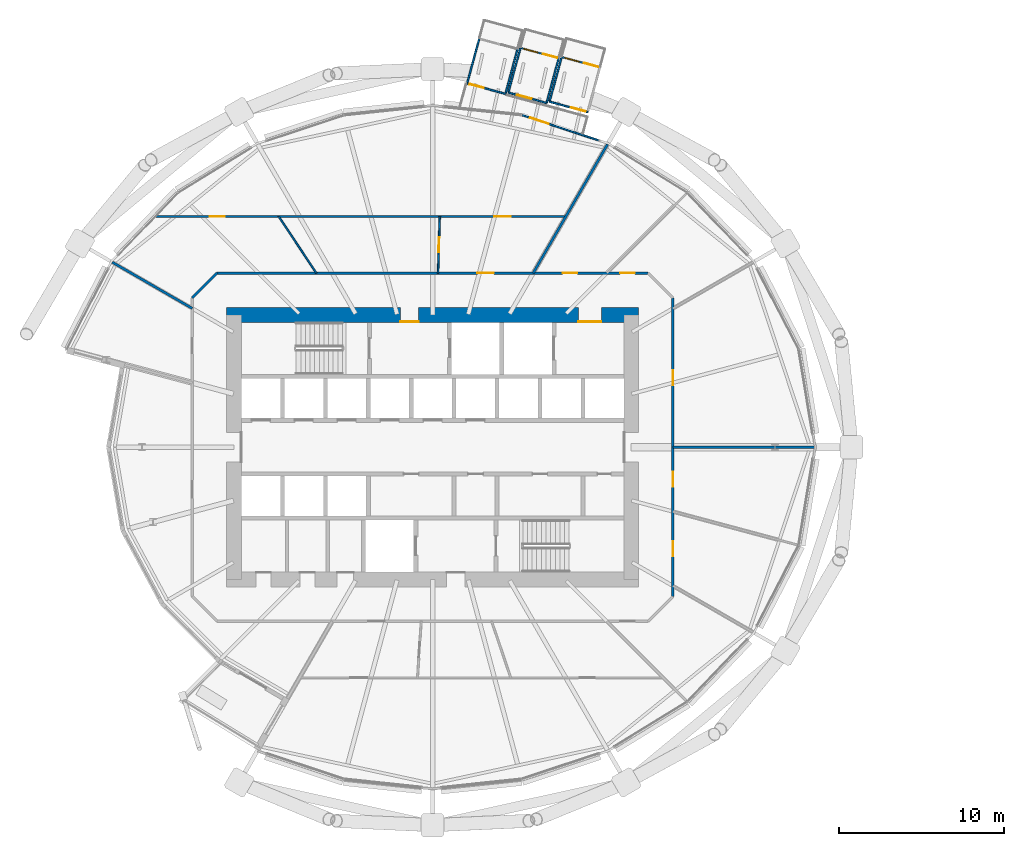
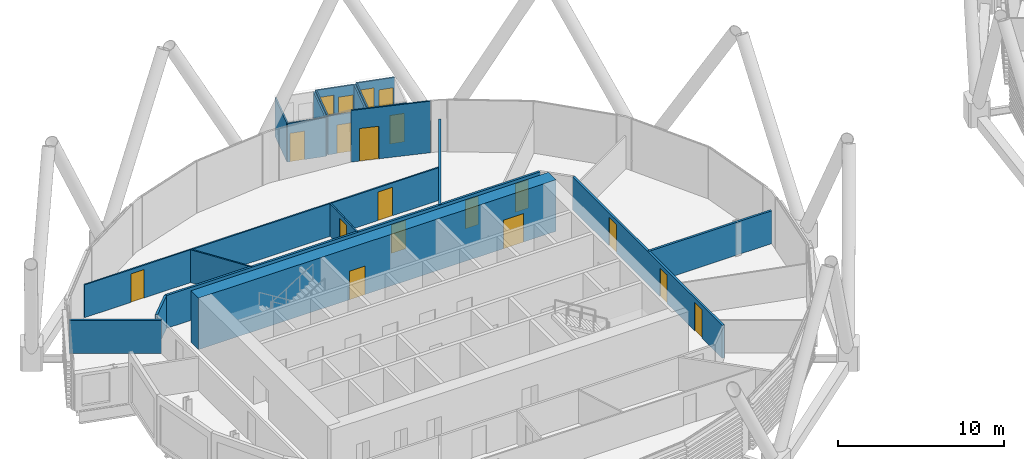
# One storey, part 26 of 40: 21 walls, 17 doors, 2 windows, 19 openings.
"""IFC4 building model written with IfcOpenShell, lengths in metres."""

from ifc_helpers import new_model, si_unit, direction, frame, frame_2d, origin, place, context, subcontext, project, spatial, rectangle, extrude, material, layer, layer_set, type_object, element, fill, save


model = new_model("IFC4")

# Units and contexts
model_context = context("Model", 3, precision=1e-05, world=origin(), true_north=direction((0.0, 1.0)))
body_context = subcontext(model_context, "Body", "Model", "MODEL_VIEW")
ifc_project = project(units=[si_unit("LENGTHUNIT", "METRE"), si_unit("AREAUNIT", "SQUARE_METRE"), si_unit("VOLUMEUNIT", "CUBIC_METRE"), si_unit("PLANEANGLEUNIT", "RADIAN"), si_unit("MASSUNIT", "GRAM", prefix="KILO")], contexts=[model_context])

# Site, building, storey
site_placement = place(None, origin())
site = spatial("IfcSite", under=ifc_project, at=site_placement, CompositionType="ELEMENT")
building_placement = place(site_placement, origin())
building = spatial("IfcBuilding", under=site, at=building_placement, Name="Rimbun Link Towers", CompositionType="ELEMENT")
storey_placement = place(building_placement, frame((0.0, 0.0, 52.800048828125)))
storey = spatial("IfcBuildingStorey", under=building, at=storey_placement, Name="L12", CompositionType="ELEMENT", Elevation=52.800048828125)

# Wall, opening, door
ifc_material_1 = material(Name="Terracotta-faced insulated sandwich panel", Category="masonry")
ifc_layer_1 = layer(ifc_material_1, 0.10009765625)
ifc_layer_set_1 = layer_set([ifc_layer_1], Name="CAPSULE entrance panel 100")
wall_type_1 = type_object("IfcWallType", Name="CAPSULE entrance panel 100", PredefinedType="STANDARD", material=ifc_layer_set_1)
wall_1_placement = place(storey_placement, frame((-29.667724609375, 21.985107421875, 0.0), z_axis=(0.0, 0.0, 1.0), x_axis=(0.965115063511, -0.261826114405, 0.0)))
wall_1 = element("IfcWall", 1, at=wall_1_placement, inside=storey, type_object=wall_type_1, Name="CAPSULE D121.01 shell panel 4", PredefinedType="STANDARD", context=body_context, shape_type="SweptSolid", body=[
    extrude(rectangle(XDim=2.400146484375, YDim=0.10009765625, at=frame_2d((1.2001953125, 0.0))), origin(), (0.0, 0.0, 1.0), 2.849853515625),
])
opening_1_placement = place(wall_1_placement, frame((0.14990234375, 0.0, 0.0)))
opening_1 = element("IfcOpeningElement", 2, at=opening_1_placement, cuts=wall_1, Name="Opening CE12.01", PredefinedType="OPENING", context=body_context, shape_type="SweptSolid", body=[
    extrude(rectangle(XDim=0.89990234375, YDim=2.10009765625, at=frame_2d((0.449951171875, 1.050048828125))), frame((0.0, 0.06005859375, 0.0), z_axis=(0.0, -1.0, 0.0), x_axis=(1.0, 0.0, 0.0)), (0.0, 0.0, 1.0), 0.1201171875),
])
ifc_material_2 = material(Name="Aluminium framed insulated door leaf", Category="aluminium")
door_type_1 = type_object("IfcDoorType", Name="CAPSULE door single leaf 900X2100", OperationType="SINGLE_SWING_LEFT", PredefinedType="DOOR", material=ifc_material_2)
door_1_placement = place(opening_1_placement, origin())
door_1 = element("IfcDoor", 3, at=door_1_placement, inside=storey, type_object=door_type_1, Name="CAPSULE D121.01 inner door", OperationType="SINGLE_SWING_LEFT", OverallHeight=2.10009765625, OverallWidth=0.89990234375, PredefinedType="DOOR", context=body_context, shape_type="SweptSolid", body=[
    extrude(rectangle(XDim=0.89990234375, YDim=2.10009765625, at=frame_2d((0.449951171875, 1.050048828125))), frame((0.0, 0.02490234375, 0.0), z_axis=(0.0, -1.0, 0.0), x_axis=(1.0, 0.0, 0.0)), (0.0, 0.0, 1.0), 0.050048828125),
])
fill(opening_1, door_1)

# Wall, openings, door, window
wall_2_placement = place(storey_placement, frame((-24.12841796875, 23.50732421875, 0.0), z_axis=(0.0, 0.0, 1.0), x_axis=(-0.965115063511, 0.261826114405, 0.0)))
wall_2 = element("IfcWall", 4, at=wall_2_placement, inside=storey, type_object=wall_type_1, Name="CAPSULE D121.02 shell panel 2", PredefinedType="STANDARD", context=body_context, shape_type="SweptSolid", body=[
    extrude(rectangle(XDim=2.400146484375, YDim=0.10009765625, at=frame_2d((1.2001953125, 0.0))), origin(), (0.0, 0.0, 1.0), 2.849853515625),
])
opening_2_placement = place(wall_2_placement, frame((0.10009765625, 0.0, 0.0)))
opening_2 = element("IfcOpeningElement", 5, at=opening_2_placement, cuts=wall_2, Name="Opening CD12.02", PredefinedType="OPENING", context=body_context, shape_type="SweptSolid", body=[
    extrude(rectangle(XDim=0.89990234375, YDim=2.10009765625, at=frame_2d((0.449951171875, 1.050048828125))), frame((0.0, 0.06005859375, 0.0), z_axis=(0.0, -1.0, 0.0), x_axis=(1.0, 0.0, 0.0)), (0.0, 0.0, 1.0), 0.1201171875),
])
opening_3_placement = place(wall_2_placement, frame((1.300048828125, 0.0, 0.89990234375)))
opening_3 = element("IfcOpeningElement", 6, at=opening_3_placement, cuts=wall_2, Name="Opening CN12.02", PredefinedType="OPENING", context=body_context, shape_type="SweptSolid", body=[
    extrude(rectangle(XDim=0.89990234375, YDim=1.39990234375, at=frame_2d((0.449951171875, 0.699951171875))), frame((0.0, 0.06005859375, 0.0), z_axis=(0.0, -1.0, 0.0), x_axis=(1.0, 0.0, 0.0)), (0.0, 0.0, 1.0), 0.1201171875),
])
door_2_placement = place(opening_2_placement, origin())
door_2 = element("IfcDoor", 7, at=door_2_placement, inside=storey, type_object=door_type_1, Name="CAPSULE D121.02 door", OperationType="SINGLE_SWING_RIGHT", OverallHeight=2.10009765625, OverallWidth=0.89990234375, PredefinedType="DOOR", context=body_context, shape_type="SweptSolid", body=[
    extrude(rectangle(XDim=0.89990234375, YDim=2.10009765625, at=frame_2d((0.449951171875, 1.050048828125))), frame((0.0, 0.02490234375, 0.0), z_axis=(0.0, -1.0, 0.0), x_axis=(1.0, 0.0, 0.0)), (0.0, 0.0, 1.0), 0.050048828125),
])
fill(opening_2, door_2)
ifc_material_3 = material(Name="Aluminium framed window, low-iron glass", Category="aluminium")
window_type = type_object("IfcWindowType", Name="CAPSULE window 900X1400", PartitioningType="SINGLE_PANEL", PredefinedType="WINDOW", material=ifc_material_3)
window_1_placement = place(opening_3_placement, origin())
window_1 = element("IfcWindow", 8, at=window_1_placement, inside=storey, type_object=window_type, Name="CAPSULE D121.02 window", OverallHeight=1.39990234375, OverallWidth=0.89990234375, PartitioningType="SINGLE_PANEL", PredefinedType="WINDOW", context=body_context, shape_type="SweptSolid", body=[
    extrude(rectangle(XDim=0.89990234375, YDim=1.39990234375, at=frame_2d((0.449951171875, 0.699951171875))), frame((0.0, 0.030029296875, 0.0), z_axis=(0.0, -1.0, 0.0), x_axis=(1.0, 0.0, 0.0)), (0.0, 0.0, 1.0), 0.06005859375),
])
fill(opening_3, window_1)

# Wall, opening, door
wall_3_placement = place(storey_placement, frame((-27.177978515625, 21.43359375, 0.0), z_axis=(0.0, 0.0, 1.0), x_axis=(0.965108089312, -0.261851820585, 0.0)))
wall_3 = element("IfcWall", 9, at=wall_3_placement, inside=storey, type_object=wall_type_1, Name="CAPSULE D121.02 shell panel 4", PredefinedType="STANDARD", context=body_context, shape_type="SweptSolid", body=[
    extrude(rectangle(XDim=2.39990234375, YDim=0.10009765625, at=frame_2d((1.199951171875, 0.0))), origin(), (0.0, 0.0, 1.0), 2.849853515625),
])
opening_4_placement = place(wall_3_placement, frame((0.550048828125, 0.0, 0.0)))
opening_4 = element("IfcOpeningElement", 10, at=opening_4_placement, cuts=wall_3, Name="Opening CE12.02", PredefinedType="OPENING", context=body_context, shape_type="SweptSolid", body=[
    extrude(rectangle(XDim=0.89990234375, YDim=2.10009765625, at=frame_2d((0.449951171875, 1.050048828125))), frame((0.0, 0.06005859375, 0.0), z_axis=(0.0, -1.0, 0.0), x_axis=(1.0, 0.0, 0.0)), (0.0, 0.0, 1.0), 0.1201171875),
])
door_3_placement = place(opening_4_placement, origin())
door_3 = element("IfcDoor", 11, at=door_3_placement, inside=storey, type_object=door_type_1, Name="CAPSULE D121.02 inner door", OperationType="SINGLE_SWING_LEFT", OverallHeight=2.10009765625, OverallWidth=0.89990234375, PredefinedType="DOOR", context=body_context, shape_type="SweptSolid", body=[
    extrude(rectangle(XDim=0.89990234375, YDim=2.10009765625, at=frame_2d((0.449951171875, 1.050048828125))), frame((0.0, 0.02490234375, 0.0), z_axis=(0.0, -1.0, 0.0), x_axis=(1.0, 0.0, 0.0)), (0.0, 0.0, 1.0), 0.050048828125),
])
fill(opening_4, door_3)

# Wall, openings, door, window
wall_4_placement = place(storey_placement, frame((-21.638916015625, 22.955810546875, 0.0), z_axis=(0.0, 0.0, 1.0), x_axis=(-0.965108089312, 0.261851820585, 0.0)))
wall_4 = element("IfcWall", 12, at=wall_4_placement, inside=storey, type_object=wall_type_1, Name="CAPSULE D121.03 shell panel 2", PredefinedType="STANDARD", context=body_context, shape_type="SweptSolid", body=[
    extrude(rectangle(XDim=2.39990234375, YDim=0.10009765625, at=frame_2d((1.199951171875, 0.0))), origin(), (0.0, 0.0, 1.0), 2.849853515625),
])
opening_5_placement = place(wall_4_placement, frame((0.10009765625, 0.0, 0.0)))
opening_5 = element("IfcOpeningElement", 13, at=opening_5_placement, cuts=wall_4, Name="Opening CD12.03", PredefinedType="OPENING", context=body_context, shape_type="SweptSolid", body=[
    extrude(rectangle(XDim=0.89990234375, YDim=2.10009765625, at=frame_2d((0.449951171875, 1.050048828125))), frame((0.0, 0.06005859375, 0.0), z_axis=(0.0, -1.0, 0.0), x_axis=(1.0, 0.0, 0.0)), (0.0, 0.0, 1.0), 0.1201171875),
])
opening_6_placement = place(wall_4_placement, frame((1.300048828125, 0.0, 0.89990234375)))
opening_6 = element("IfcOpeningElement", 14, at=opening_6_placement, cuts=wall_4, Name="Opening CN12.03", PredefinedType="OPENING", context=body_context, shape_type="SweptSolid", body=[
    extrude(rectangle(XDim=0.89990234375, YDim=1.39990234375, at=frame_2d((0.449951171875, 0.699951171875))), frame((0.0, 0.06005859375, 0.0), z_axis=(0.0, -1.0, 0.0), x_axis=(1.0, 0.0, 0.0)), (0.0, 0.0, 1.0), 0.1201171875),
])
door_4_placement = place(opening_5_placement, origin())
door_4 = element("IfcDoor", 15, at=door_4_placement, inside=storey, type_object=door_type_1, Name="CAPSULE D121.03 door", OperationType="SINGLE_SWING_LEFT", OverallHeight=2.10009765625, OverallWidth=0.89990234375, PredefinedType="DOOR", context=body_context, shape_type="SweptSolid", body=[
    extrude(rectangle(XDim=0.89990234375, YDim=2.10009765625, at=frame_2d((0.449951171875, 1.050048828125))), frame((0.0, 0.02490234375, 0.0), z_axis=(0.0, -1.0, 0.0), x_axis=(1.0, 0.0, 0.0)), (0.0, 0.0, 1.0), 0.050048828125),
])
fill(opening_5, door_4)
window_2_placement = place(opening_6_placement, origin())
window_2 = element("IfcWindow", 16, at=window_2_placement, inside=storey, type_object=window_type, Name="CAPSULE D121.03 window", OverallHeight=1.39990234375, OverallWidth=0.89990234375, PartitioningType="SINGLE_PANEL", PredefinedType="WINDOW", context=body_context, shape_type="SweptSolid", body=[
    extrude(rectangle(XDim=0.89990234375, YDim=1.39990234375, at=frame_2d((0.449951171875, 0.699951171875))), frame((0.0, 0.030029296875, 0.0), z_axis=(0.0, -1.0, 0.0), x_axis=(1.0, 0.0, 0.0)), (0.0, 0.0, 1.0), 0.06005859375),
])
fill(opening_6, window_2)

# Wall, opening, door
wall_5_placement = place(storey_placement, frame((-24.688232421875, 20.882080078125, 0.0), z_axis=(0.0, 0.0, 1.0), x_axis=(0.965108089312, -0.261851820585, 0.0)))
wall_5 = element("IfcWall", 17, at=wall_5_placement, inside=storey, type_object=wall_type_1, Name="CAPSULE D121.03 shell panel 4", PredefinedType="STANDARD", context=body_context, shape_type="SweptSolid", body=[
    extrude(rectangle(XDim=2.39990234375, YDim=0.10009765625, at=frame_2d((1.199951171875, 0.0))), origin(), (0.0, 0.0, 1.0), 2.849853515625),
])
opening_7_placement = place(wall_5_placement, frame((1.35009765625, 0.0, 0.0)))
opening_7 = element("IfcOpeningElement", 18, at=opening_7_placement, cuts=wall_5, Name="Opening CE12.03", PredefinedType="OPENING", context=body_context, shape_type="SweptSolid", body=[
    extrude(rectangle(XDim=0.89990234375, YDim=2.10009765625, at=frame_2d((0.449951171875, 1.050048828125))), frame((0.0, 0.06005859375, 0.0), z_axis=(0.0, -1.0, 0.0), x_axis=(1.0, 0.0, 0.0)), (0.0, 0.0, 1.0), 0.1201171875),
])
door_5_placement = place(opening_7_placement, origin())
door_5 = element("IfcDoor", 19, at=door_5_placement, inside=storey, type_object=door_type_1, Name="CAPSULE D121.03 inner door", OperationType="SINGLE_SWING_LEFT", OverallHeight=2.10009765625, OverallWidth=0.89990234375, PredefinedType="DOOR", context=body_context, shape_type="SweptSolid", body=[
    extrude(rectangle(XDim=0.89990234375, YDim=2.10009765625, at=frame_2d((0.449951171875, 1.050048828125))), frame((0.0, 0.02490234375, 0.0), z_axis=(0.0, -1.0, 0.0), x_axis=(1.0, 0.0, 0.0)), (0.0, 0.0, 1.0), 0.050048828125),
])
fill(opening_7, door_5)

# Walls
ifc_material_4 = material(Name="Terracotta-faced insulated sandwich panel", Category="masonry")
ifc_layer_2 = layer(ifc_material_4, 0.10009765625)
ifc_layer_set_2 = layer_set([ifc_layer_2], Name="CAPSULE shell panel 100")
wall_type_2 = type_object("IfcWallType", Name="CAPSULE shell panel 100", PredefinedType="STANDARD", material=ifc_layer_set_2)
for number, where, z_axis, x_axis, name in (
    (20, (-27.351318359375, 21.356689453125, 0.0), (0.0, 0.0, 1.0), (0.261855493293, 0.965107092831, 0.0), "CAPSULE D121.01 shell panel 1"),
    (21, (-28.934326171875, 24.687255859375, 0.0), (0.0, 0.0, 1.0), (-0.261936709462, -0.965085053369, 0.0), "CAPSULE D121.01 shell panel 3"),
    (22, (-24.86181640625, 20.80517578125, 0.0), (0.0, 0.0, 1.0), (0.261936709462, 0.965085053369, 0.0), "CAPSULE D121.02 shell panel 1"),
    (23, (-26.44482421875, 24.1357421875, 0.0), (0.0, 0.0, 1.0), (-0.261855493293, -0.965107092831, 0.0), "CAPSULE D121.02 shell panel 3"),
    (24, (-23.955078125, 23.584228515625, 0.0), (0.0, 0.0, 1.0), (-0.261855493293, -0.965107092831, 0.0), "CAPSULE D121.03 shell panel 3"),
):
    element("IfcWall", number, at=place(storey_placement, frame(where, z_axis=z_axis, x_axis=x_axis)), inside=storey, type_object=wall_type_2, Name=name, PredefinedType="STANDARD", context=body_context, shape_type="SweptSolid", body=[
        extrude(rectangle(XDim=2.7998046875, YDim=0.10009765625, at=frame_2d((1.39990234375, 0.0))), origin(), (0.0, 0.0, 1.0), 2.849853515625),
    ])

# Wall, openings, doors
ifc_material_5 = material(Name="Concrete C60/75", Category="concrete")
ifc_layer_3 = layer(ifc_material_5, 0.89990234375)
ifc_layer_set_3 = layer_set([ifc_layer_3], Name="Core shear wall 900")
wall_type_3 = type_object("IfcWallType", Name="Core shear wall 900", PredefinedType="SHEAR", material=ifc_layer_set_3)
wall_6_placement = place(storey_placement, frame((-44.199951171875, 8.0, 0.0), z_axis=(0.0, 0.0, 1.0), x_axis=(1.0, 0.0, 0.0)))
wall_6 = element("IfcWall", 25, at=wall_6_placement, inside=storey, type_object=wall_type_3, Name="L12 T1 core wall N", PredefinedType="SHEAR", context=body_context, shape_type="SweptSolid", body=[
    extrude(rectangle(XDim=24.89990234375, YDim=0.89990234375, at=frame_2d((12.449951171875, 0.0))), origin(), (0.0, 0.0, 1.0), 3.800048828125),
])
opening_8_placement = place(wall_6_placement, frame((10.5, 0.0, 0.0)))
opening_8 = element("IfcOpeningElement", 26, at=opening_8_placement, cuts=wall_6, Name="Opening C1DCF01N", PredefinedType="OPENING", context=body_context, shape_type="SweptSolid", body=[
    extrude(rectangle(XDim=1.10009765625, YDim=2.10009765625, at=frame_2d((0.550048828125, 1.050048828125))), frame((0.0, 0.4599609375, 0.0), z_axis=(0.0, -1.0, 0.0), x_axis=(1.0, 0.0, 0.0)), (0.0, 0.0, 1.0), 0.919921875),
])
opening_9_placement = place(wall_6_placement, frame((21.25, 0.0, 0.0)))
opening_9 = element("IfcOpeningElement", 27, at=opening_9_placement, cuts=wall_6, Name="Opening C1DSL02N", PredefinedType="OPENING", context=body_context, shape_type="SweptSolid", body=[
    extrude(rectangle(XDim=1.39990234375, YDim=2.10009765625, at=frame_2d((0.699951171875, 1.050048828125))), frame((0.0, 0.4599609375, 0.0), z_axis=(0.0, -1.0, 0.0), x_axis=(1.0, 0.0, 0.0)), (0.0, 0.0, 1.0), 0.919921875),
])
ifc_material_6 = material(Name="Steel fire door set", Category="steel")
door_type_2 = type_object("IfcDoorType", Name="Core fire door single", OperationType="SINGLE_SWING_LEFT", PredefinedType="DOOR", material=ifc_material_6)
door_6_placement = place(opening_8_placement, origin())
door_6 = element("IfcDoor", 28, at=door_6_placement, inside=storey, type_object=door_type_2, Name="L12 T1 firefighting lobby n door", OperationType="SINGLE_SWING_RIGHT", OverallHeight=2.10009765625, OverallWidth=1.10009765625, PredefinedType="DOOR", context=body_context, shape_type="SweptSolid", body=[
    extrude(rectangle(XDim=1.10009765625, YDim=2.10009765625, at=frame_2d((0.550048828125, 1.050048828125))), frame((0.0, -0.39990234375, 0.0), z_axis=(0.0, -1.0, 0.0), x_axis=(1.0, 0.0, 0.0)), (0.0, 0.0, 1.0), 0.050048828125),
])
fill(opening_8, door_6)
ifc_material_7 = material(Name="Steel fire door set", Category="steel")
door_type_3 = type_object("IfcDoorType", Name="Service lobby door double", OperationType="DOUBLE_DOOR_SINGLE_SWING", PredefinedType="DOOR", material=ifc_material_7)
door_7_placement = place(opening_9_placement, origin())
door_7 = element("IfcDoor", 29, at=door_7_placement, inside=storey, type_object=door_type_3, Name="L12 T1 service lobby door", OperationType="DOUBLE_DOOR_SINGLE_SWING", OverallHeight=2.10009765625, OverallWidth=1.39990234375, PredefinedType="DOOR", context=body_context, shape_type="SweptSolid", body=[
    extrude(rectangle(XDim=1.39990234375, YDim=2.10009765625, at=frame_2d((0.699951171875, 1.050048828125))), frame((0.0, -0.39990234375, 0.0), z_axis=(0.0, -1.0, 0.0), x_axis=(1.0, 0.0, 0.0)), (0.0, 0.0, 1.0), 0.050048828125),
])
fill(opening_9, door_7)

ifc_material_8 = material(Name="Plasterboard on steel stud, mineral wool", Category="steel")
ifc_layer_4 = layer(ifc_material_8, 0.14990234375)
ifc_layer_set_4 = layer_set([ifc_layer_4], Name="Corridor wall EI 30 150 mm")
wall_type_4 = type_object("IfcWallType", Name="Corridor wall EI 30 150 mm", PredefinedType="PARTITIONING", material=ifc_layer_set_4)
wall_7_placement = place(storey_placement, frame((-44.776611328125, 10.52490234375, 0.0), z_axis=(0.0, 0.0, 1.0), x_axis=(1.0, 0.0, 0.0)))
wall_7 = element("IfcWall", 30, at=wall_7_placement, inside=storey, type_object=wall_type_4, Name="Corridor wall EI 30 150 mm", PredefinedType="PARTITIONING", context=body_context, shape_type="SweptSolid", body=[
    extrude(rectangle(XDim=26.05322265625, YDim=0.14990234375, at=frame_2d((13.026611328125, 0.0))), origin(), (0.0, 0.0, 1.0), 2.419921875),
])
opening_10_placement = place(wall_7_placement, frame((24.3525390625, 0.0, 0.0)))
opening_10 = element("IfcOpeningElement", 31, at=opening_10_placement, cuts=wall_7, Name="Opening D02", PredefinedType="OPENING", context=body_context, shape_type="SweptSolid", body=[
    extrude(rectangle(XDim=0.89990234375, YDim=2.10009765625, at=frame_2d((0.449951171875, 1.050048828125))), frame((0.0, 0.0849609375, 0.0), z_axis=(0.0, -1.0, 0.0), x_axis=(1.0, 0.0, 0.0)), (0.0, 0.0, 1.0), 0.169921875),
])
opening_11_placement = place(wall_7_placement, frame((20.87744140625, 0.0, 0.0)))
opening_11 = element("IfcOpeningElement", 32, at=opening_11_placement, cuts=wall_7, Name="Opening D02", PredefinedType="OPENING", context=body_context, shape_type="SweptSolid", body=[
    extrude(rectangle(XDim=0.89990234375, YDim=2.10009765625, at=frame_2d((0.449951171875, 1.050048828125))), frame((0.0, 0.0849609375, 0.0), z_axis=(0.0, -1.0, 0.0), x_axis=(1.0, 0.0, 0.0)), (0.0, 0.0, 1.0), 0.169921875),
])
opening_12_placement = place(wall_7_placement, frame((15.727294921875, 0.0, 0.0)))
opening_12 = element("IfcOpeningElement", 33, at=opening_12_placement, cuts=wall_7, Name="Opening D01", PredefinedType="OPENING", context=body_context, shape_type="SweptSolid", body=[
    extrude(rectangle(XDim=1.0, YDim=2.10009765625, at=frame_2d((0.5, 1.050048828125))), frame((0.0, 0.0849609375, 0.0), z_axis=(0.0, -1.0, 0.0), x_axis=(1.0, 0.0, 0.0)), (0.0, 0.0, 1.0), 0.169921875),
])
ifc_material_9 = material(Name="Fire-resisting timber door leaf", Category="wood")
door_type_4 = type_object("IfcDoorType", Name="Fire door FD30S 1000", OperationType="NOTDEFINED", PredefinedType="DOOR", material=ifc_material_9)
door_8_placement = place(opening_12_placement, origin())
door_8 = element("IfcDoor", 34, at=door_8_placement, inside=storey, type_object=door_type_4, Name="Fire door FD30S 1000 to Reception", OperationType="SINGLE_SWING_RIGHT", OverallHeight=2.10009765625, OverallWidth=1.0, PredefinedType="DOOR", context=body_context, shape_type="SweptSolid", body=[
    extrude(rectangle(XDim=1.0, YDim=2.10009765625, at=frame_2d((0.5, 1.050048828125))), frame((0.0, 0.02490234375, 0.0), z_axis=(0.0, -1.0, 0.0), x_axis=(1.0, 0.0, 0.0)), (0.0, 0.0, 1.0), 0.050048828125),
])
fill(opening_12, door_8)
ifc_material_10 = material(Name="Fire-resisting timber door leaf", Category="wood")
door_type_5 = type_object("IfcDoorType", Name="Fire door FD30S 900", OperationType="NOTDEFINED", PredefinedType="DOOR", material=ifc_material_10)
door_9_placement = place(opening_10_placement, origin())
door_9 = element("IfcDoor", 35, at=door_9_placement, inside=storey, type_object=door_type_5, Name="Fire door FD30S 900 to Cellular office", OperationType="SINGLE_SWING_RIGHT", OverallHeight=2.10009765625, OverallWidth=0.89990234375, PredefinedType="DOOR", context=body_context, shape_type="SweptSolid", body=[
    extrude(rectangle(XDim=0.89990234375, YDim=2.10009765625, at=frame_2d((0.449951171875, 1.050048828125))), frame((0.0, 0.02490234375, 0.0), z_axis=(0.0, -1.0, 0.0), x_axis=(1.0, 0.0, 0.0)), (0.0, 0.0, 1.0), 0.050048828125),
])
fill(opening_10, door_9)
door_10_placement = place(opening_11_placement, origin())
door_10 = element("IfcDoor", 36, at=door_10_placement, inside=storey, type_object=door_type_5, Name="Fire door FD30S 900 to Meeting room", OperationType="SINGLE_SWING_LEFT", OverallHeight=2.10009765625, OverallWidth=0.89990234375, PredefinedType="DOOR", context=body_context, shape_type="SweptSolid", body=[
    extrude(rectangle(XDim=0.89990234375, YDim=2.10009765625, at=frame_2d((0.449951171875, 1.050048828125))), frame((0.0, 0.02490234375, 0.0), z_axis=(0.0, -1.0, 0.0), x_axis=(1.0, 0.0, 0.0)), (0.0, 0.0, 1.0), 0.050048828125),
])
fill(opening_11, door_10)

wall_8_placement = place(storey_placement, frame((-17.22509765625, 9.026611328125, 0.0), z_axis=(0.0, 0.0, 1.0), x_axis=(0.0, -1.0, 0.0)))
wall_8 = element("IfcWall", 37, at=wall_8_placement, inside=storey, type_object=wall_type_4, Name="Corridor wall EI 30 150 mm", PredefinedType="PARTITIONING", context=body_context, shape_type="SweptSolid", body=[
    extrude(rectangle(XDim=18.05322265625, YDim=0.14990234375, at=frame_2d((9.026611328125, 0.0))), origin(), (0.0, 0.0, 1.0), 2.419921875),
])
opening_13_placement = place(wall_8_placement, frame((14.7158203125, 0.0, 0.0)))
opening_13 = element("IfcOpeningElement", 38, at=opening_13_placement, cuts=wall_8, Name="Opening D02", PredefinedType="OPENING", context=body_context, shape_type="SweptSolid", body=[
    extrude(rectangle(XDim=0.89990234375, YDim=2.10009765625, at=frame_2d((0.449951171875, 1.050048828125))), frame((0.0, 0.0849609375, 0.0), z_axis=(0.0, -1.0, 0.0), x_axis=(1.0, 0.0, 0.0)), (0.0, 0.0, 1.0), 0.169921875),
])
opening_14_placement = place(wall_8_placement, frame((10.522705078125, 0.0, 0.0)))
opening_14 = element("IfcOpeningElement", 39, at=opening_14_placement, cuts=wall_8, Name="Opening D02", PredefinedType="OPENING", context=body_context, shape_type="SweptSolid", body=[
    extrude(rectangle(XDim=0.89990234375, YDim=2.10009765625, at=frame_2d((0.449951171875, 1.050048828125))), frame((0.0, 0.0849609375, 0.0), z_axis=(0.0, -1.0, 0.0), x_axis=(1.0, 0.0, 0.0)), (0.0, 0.0, 1.0), 0.169921875),
])
opening_15_placement = place(wall_8_placement, frame((4.3837890625, 0.0, 0.0)))
opening_15 = element("IfcOpeningElement", 40, at=opening_15_placement, cuts=wall_8, Name="Opening D02", PredefinedType="OPENING", context=body_context, shape_type="SweptSolid", body=[
    extrude(rectangle(XDim=0.89990234375, YDim=2.10009765625, at=frame_2d((0.449951171875, 1.050048828125))), frame((0.0, 0.0849609375, 0.0), z_axis=(0.0, -1.0, 0.0), x_axis=(1.0, 0.0, 0.0)), (0.0, 0.0, 1.0), 0.169921875),
])
door_11_placement = place(opening_13_placement, origin())
door_11 = element("IfcDoor", 41, at=door_11_placement, inside=storey, type_object=door_type_5, Name="Fire door FD30S 900 to Meeting room", OperationType="SINGLE_SWING_LEFT", OverallHeight=2.10009765625, OverallWidth=0.89990234375, PredefinedType="DOOR", context=body_context, shape_type="SweptSolid", body=[
    extrude(rectangle(XDim=0.89990234375, YDim=2.10009765625, at=frame_2d((0.449951171875, 1.050048828125))), frame((0.0, 0.02490234375, 0.0), z_axis=(0.0, -1.0, 0.0), x_axis=(1.0, 0.0, 0.0)), (0.0, 0.0, 1.0), 0.050048828125),
])
fill(opening_13, door_11)
door_12_placement = place(opening_14_placement, origin())
door_12 = element("IfcDoor", 42, at=door_12_placement, inside=storey, type_object=door_type_5, Name="Fire door FD30S 900 to Meeting room", OperationType="SINGLE_SWING_RIGHT", OverallHeight=2.10009765625, OverallWidth=0.89990234375, PredefinedType="DOOR", context=body_context, shape_type="SweptSolid", body=[
    extrude(rectangle(XDim=0.89990234375, YDim=2.10009765625, at=frame_2d((0.449951171875, 1.050048828125))), frame((0.0, 0.02490234375, 0.0), z_axis=(0.0, -1.0, 0.0), x_axis=(1.0, 0.0, 0.0)), (0.0, 0.0, 1.0), 0.050048828125),
])
fill(opening_14, door_12)
door_13_placement = place(opening_15_placement, origin())
door_13 = element("IfcDoor", 43, at=door_13_placement, inside=storey, type_object=door_type_5, Name="Fire door FD30S 900 to Cellular office", OperationType="SINGLE_SWING_LEFT", OverallHeight=2.10009765625, OverallWidth=0.89990234375, PredefinedType="DOOR", context=body_context, shape_type="SweptSolid", body=[
    extrude(rectangle(XDim=0.89990234375, YDim=2.10009765625, at=frame_2d((0.449951171875, 1.050048828125))), frame((0.0, 0.02490234375, 0.0), z_axis=(0.0, -1.0, 0.0), x_axis=(1.0, 0.0, 0.0)), (0.0, 0.0, 1.0), 0.050048828125),
])
fill(opening_15, door_13)

# Wall
wall_9_placement = place(storey_placement, frame((-44.776611328125, 10.52490234375, 0.0), z_axis=(0.0, 0.0, 1.0), x_axis=(-0.707106781187, -0.707106781187, 0.0)))
element("IfcWall", 44, at=wall_9_placement, inside=storey, type_object=wall_type_4, Name="Corridor wall EI 30 150 mm", PredefinedType="PARTITIONING", context=body_context, shape_type="SweptSolid", body=[
    extrude(rectangle(XDim=2.118896484375, YDim=0.14990234375, at=frame_2d((1.0595703125, 0.0))), origin(), (0.0, 0.0, 1.0), 2.419921875),
])

# Wall, opening, door
ifc_material_11 = material(Name="Aluminium framed insulated infill panel", Category="aluminium")
ifc_layer_5 = layer(ifc_material_11, 0.10009765625)
ifc_layer_set_5 = layer_set([ifc_layer_5], Name="ED framed infill wall 100")
wall_type_5 = type_object("IfcWallType", Name="ED framed infill wall 100", PredefinedType="STANDARD", material=ifc_layer_set_5)
wall_10_placement = place(storey_placement, frame((-26.34716796875, 20.074951171875, 0.0), z_axis=(0.0, 0.0, 1.0), x_axis=(0.949235899783, -0.314565107032, 0.0)))
wall_10 = element("IfcWall", 45, at=wall_10_placement, inside=storey, type_object=wall_type_5, Name="Framed door bay wall", PredefinedType="STANDARD", context=body_context, shape_type="SweptSolid", body=[
    extrude(rectangle(XDim=4.89111328125, YDim=0.10009765625, at=frame_2d((2.445556640625, 0.0))), origin(), (0.0, 0.0, 1.0), 3.800048828125),
])
opening_16_placement = place(wall_10_placement, frame((0.501708984375, 0.0, 0.0)))
opening_16 = element("IfcOpeningElement", 46, at=opening_16_placement, cuts=wall_10, Name="Opening ED87", PredefinedType="OPENING", context=body_context, shape_type="SweptSolid", body=[
    extrude(rectangle(XDim=1.199951171875, YDim=2.39990234375, at=frame_2d((0.60009765625, 1.199951171875))), frame((0.0, 0.06005859375, 0.0), z_axis=(0.0, -1.0, 0.0), x_axis=(1.0, 0.0, 0.0)), (0.0, 0.0, 1.0), 0.1201171875),
])
ifc_material_12 = material(Name="Aluminium framed glazed door, low-iron glass", Category="aluminium")
door_type_6 = type_object("IfcDoorType", Name="ED terrace door double leaf 1200X2400", OperationType="DOUBLE_DOOR_SINGLE_SWING", PredefinedType="DOOR", material=ifc_material_12)
door_14_placement = place(opening_16_placement, origin())
door_14 = element("IfcDoor", 47, at=door_14_placement, inside=storey, type_object=door_type_6, Name="Terrace door", OperationType="SINGLE_SWING_LEFT", OverallHeight=2.39990234375, OverallWidth=1.199951171875, PredefinedType="DOOR", context=body_context, shape_type="SweptSolid", body=[
    extrude(rectangle(XDim=1.199951171875, YDim=2.39990234375, at=frame_2d((0.60009765625, 1.199951171875))), frame((0.0, 0.02490234375, 0.0), z_axis=(0.0, -1.0, 0.0), x_axis=(1.0, 0.0, 0.0)), (0.0, 0.0, 1.0), 0.050048828125),
])
fill(opening_16, door_14)

ifc_material_13 = material(Name="Plasterboard on steel stud", Category="steel")
ifc_layer_6 = layer(ifc_material_13, 0.10009765625)
ifc_layer_set_6 = layer_set([ifc_layer_6], Name="Plasterboard partition 100 mm")
wall_type_6 = type_object("IfcWallType", Name="Plasterboard partition 100 mm", PredefinedType="PARTITIONING", material=ifc_layer_set_6)
wall_11_placement = place(storey_placement, frame((-31.425537109375, 10.52490234375, 0.0), z_axis=(0.0, 0.0, 1.0), x_axis=(0.030751385874, 0.999527064299, 0.0)))
wall_11 = element("IfcWall", 48, at=wall_11_placement, inside=storey, type_object=wall_type_6, Name="Plasterboard partition 100 mm", PredefinedType="PARTITIONING", context=body_context, shape_type="SweptSolid", body=[
    extrude(rectangle(XDim=3.421875, YDim=0.10009765625, at=frame_2d((1.7109375, 0.0))), origin(), (0.0, 0.0, 1.0), 2.419921875),
])
opening_17_placement = place(wall_11_placement, frame((1.2607421875, 0.0, 0.0)))
opening_17 = element("IfcOpeningElement", 49, at=opening_17_placement, cuts=wall_11, Name="Opening D04", PredefinedType="OPENING", context=body_context, shape_type="SweptSolid", body=[
    extrude(rectangle(XDim=0.89990234375, YDim=2.10009765625, at=frame_2d((0.449951171875, 1.050048828125))), frame((0.0, 0.06005859375, 0.0), z_axis=(0.0, -1.0, 0.0), x_axis=(1.0, 0.0, 0.0)), (0.0, 0.0, 1.0), 0.1201171875),
])
ifc_material_14 = material(Name="Timber door leaf", Category="wood")
door_type_7 = type_object("IfcDoorType", Name="Flush door 900", OperationType="NOTDEFINED", PredefinedType="DOOR", material=ifc_material_14)
door_15_placement = place(opening_17_placement, origin())
door_15 = element("IfcDoor", 50, at=door_15_placement, inside=storey, type_object=door_type_7, Name="Flush door 900 to Meeting room", OperationType="SINGLE_SWING_LEFT", OverallHeight=2.10009765625, OverallWidth=0.89990234375, PredefinedType="DOOR", context=body_context, shape_type="SweptSolid", body=[
    extrude(rectangle(XDim=0.89990234375, YDim=2.10009765625, at=frame_2d((0.449951171875, 1.050048828125))), frame((0.0, 0.02490234375, 0.0), z_axis=(0.0, -1.0, 0.0), x_axis=(1.0, 0.0, 0.0)), (0.0, 0.0, 1.0), 0.050048828125),
])
fill(opening_17, door_15)

# Wall, openings, doors
wall_12_placement = place(storey_placement, frame((-48.4775390625, 13.945068359375, 0.0), z_axis=(0.0, 0.0, 1.0), x_axis=(1.0, 0.0, 0.0)))
wall_12 = element("IfcWall", 51, at=wall_12_placement, inside=storey, type_object=wall_type_6, Name="Plasterboard partition 100 mm", PredefinedType="PARTITIONING", context=body_context, shape_type="SweptSolid", body=[
    extrude(rectangle(XDim=24.77880859375, YDim=0.10009765625, at=frame_2d((12.389404296875, 0.0))), origin(), (0.0, 0.0, 1.0), 2.419921875),
])
opening_18_placement = place(wall_12_placement, frame((20.453125, 0.0, 0.0)))
opening_18 = element("IfcOpeningElement", 52, at=opening_18_placement, cuts=wall_12, Name="Opening D03", PredefinedType="OPENING", context=body_context, shape_type="SweptSolid", body=[
    extrude(rectangle(XDim=1.0, YDim=2.10009765625, at=frame_2d((0.5, 1.050048828125))), frame((0.0, 0.06005859375, 0.0), z_axis=(0.0, -1.0, 0.0), x_axis=(1.0, 0.0, 0.0)), (0.0, 0.0, 1.0), 0.1201171875),
])
opening_19_placement = place(wall_12_placement, frame((3.258544921875, 0.0, 0.0)))
opening_19 = element("IfcOpeningElement", 53, at=opening_19_placement, cuts=wall_12, Name="Opening D04", PredefinedType="OPENING", context=body_context, shape_type="SweptSolid", body=[
    extrude(rectangle(XDim=0.89990234375, YDim=2.10009765625, at=frame_2d((0.449951171875, 1.050048828125))), frame((0.0, 0.06005859375, 0.0), z_axis=(0.0, -1.0, 0.0), x_axis=(1.0, 0.0, 0.0)), (0.0, 0.0, 1.0), 0.1201171875),
])
ifc_material_15 = material(Name="Timber door leaf", Category="wood")
door_type_8 = type_object("IfcDoorType", Name="Flush door 1000", OperationType="NOTDEFINED", PredefinedType="DOOR", material=ifc_material_15)
door_16_placement = place(opening_18_placement, origin())
door_16 = element("IfcDoor", 54, at=door_16_placement, inside=storey, type_object=door_type_8, Name="Flush door 1000 to Open office", OperationType="SINGLE_SWING_RIGHT", OverallHeight=2.10009765625, OverallWidth=1.0, PredefinedType="DOOR", context=body_context, shape_type="SweptSolid", body=[
    extrude(rectangle(XDim=1.0, YDim=2.10009765625, at=frame_2d((0.5, 1.050048828125))), frame((0.0, 0.02490234375, 0.0), z_axis=(0.0, -1.0, 0.0), x_axis=(1.0, 0.0, 0.0)), (0.0, 0.0, 1.0), 0.050048828125),
])
fill(opening_18, door_16)
door_17_placement = place(opening_19_placement, origin())
door_17 = element("IfcDoor", 55, at=door_17_placement, inside=storey, type_object=door_type_7, Name="Flush door 900 to Print room", OperationType="SINGLE_SWING_RIGHT", OverallHeight=2.10009765625, OverallWidth=0.89990234375, PredefinedType="DOOR", context=body_context, shape_type="SweptSolid", body=[
    extrude(rectangle(XDim=0.89990234375, YDim=2.10009765625, at=frame_2d((0.449951171875, 1.050048828125))), frame((0.0, 0.02490234375, 0.0), z_axis=(0.0, -1.0, 0.0), x_axis=(1.0, 0.0, 0.0)), (0.0, 0.0, 1.0), 0.050048828125),
])
fill(opening_19, door_17)

# Walls
wall_13_placement = place(storey_placement, frame((-41.060302734375, 13.945068359375, 0.0), z_axis=(0.0, 0.0, 1.0), x_axis=(0.555220709809, -0.831703050012, 0.0)))
element("IfcWall", 56, at=wall_13_placement, inside=storey, type_object=wall_type_6, Name="Plasterboard partition 100 mm", PredefinedType="PARTITIONING", context=body_context, shape_type="SweptSolid", body=[
    extrude(rectangle(XDim=4.1123046875, YDim=0.10009765625, at=frame_2d((2.05615234375, 0.0))), origin(), (0.0, 0.0, 1.0), 2.419921875),
])
ifc_material_16 = material(Name="Plasterboard on steel stud, mineral wool", Category="steel")
ifc_layer_7 = layer(ifc_material_16, 0.14990234375)
ifc_layer_set_7 = layer_set([ifc_layer_7], Name="Tenancy separation wall EI 60 150 mm")
wall_type_7 = type_object("IfcWallType", Name="Tenancy separation wall EI 60 150 mm", PredefinedType="PARTITIONING", material=ifc_layer_set_7)
wall_14_placement = place(storey_placement, frame((-17.22509765625, 0.0, 0.0), z_axis=(0.0, 0.0, 1.0), x_axis=(1.0, 0.0, 0.0)))
element("IfcWall", 57, at=wall_14_placement, inside=storey, type_object=wall_type_7, Name="Tenancy separation wall EI 60 150 mm", PredefinedType="PARTITIONING", context=body_context, shape_type="SweptSolid", body=[
    extrude(rectangle(XDim=8.546142578125, YDim=0.14990234375, at=frame_2d((4.27294921875, 0.0))), origin(), (0.0, 0.0, 1.0), 2.419921875),
])
wall_15_placement = place(storey_placement, frame((-25.67333984375, 10.52490234375, 0.0), z_axis=(0.0, 0.0, 1.0), x_axis=(0.499992041701, 0.866029998462, 0.0)))
element("IfcWall", 58, at=wall_15_placement, inside=storey, type_object=wall_type_7, Name="Tenancy separation wall EI 60 150 mm", PredefinedType="PARTITIONING", context=body_context, shape_type="SweptSolid", body=[
    extrude(rectangle(XDim=8.989013671875, YDim=0.14990234375, at=frame_2d((4.49462890625, 0.0))), origin(), (0.0, 0.0, 1.0), 2.419921875),
])
wall_16_placement = place(storey_placement, frame((-46.27490234375, 8.385986328125, 0.0), z_axis=(0.0, 0.0, 1.0), x_axis=(-0.866028733576, 0.499994232587, 0.0)))
element("IfcWall", 59, at=wall_16_placement, inside=storey, type_object=wall_type_7, Name="Tenancy separation wall EI 60 150 mm", PredefinedType="PARTITIONING", context=body_context, shape_type="SweptSolid", body=[
    extrude(rectangle(XDim=5.5986328125, YDim=0.14990234375, at=frame_2d((2.79931640625, 0.0))), origin(), (0.0, 0.0, 1.0), 2.419921875),
])

save(model, "model.ifc")
